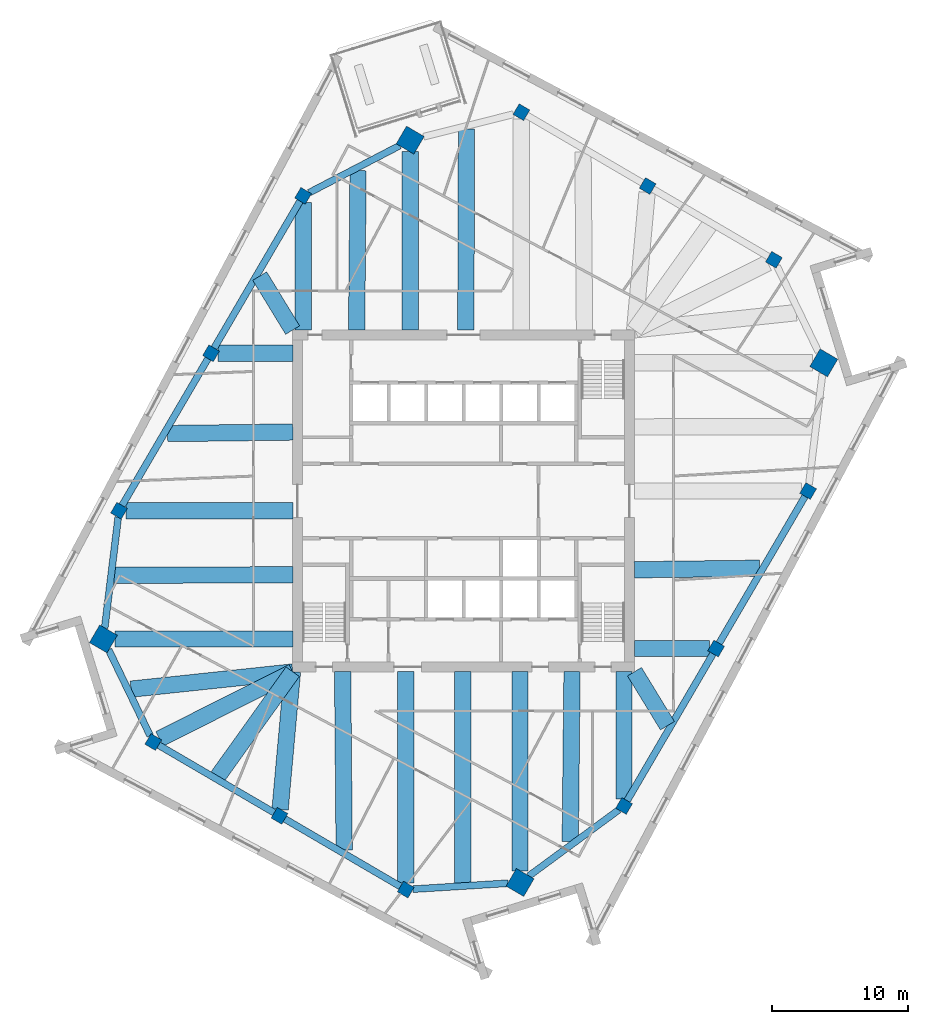
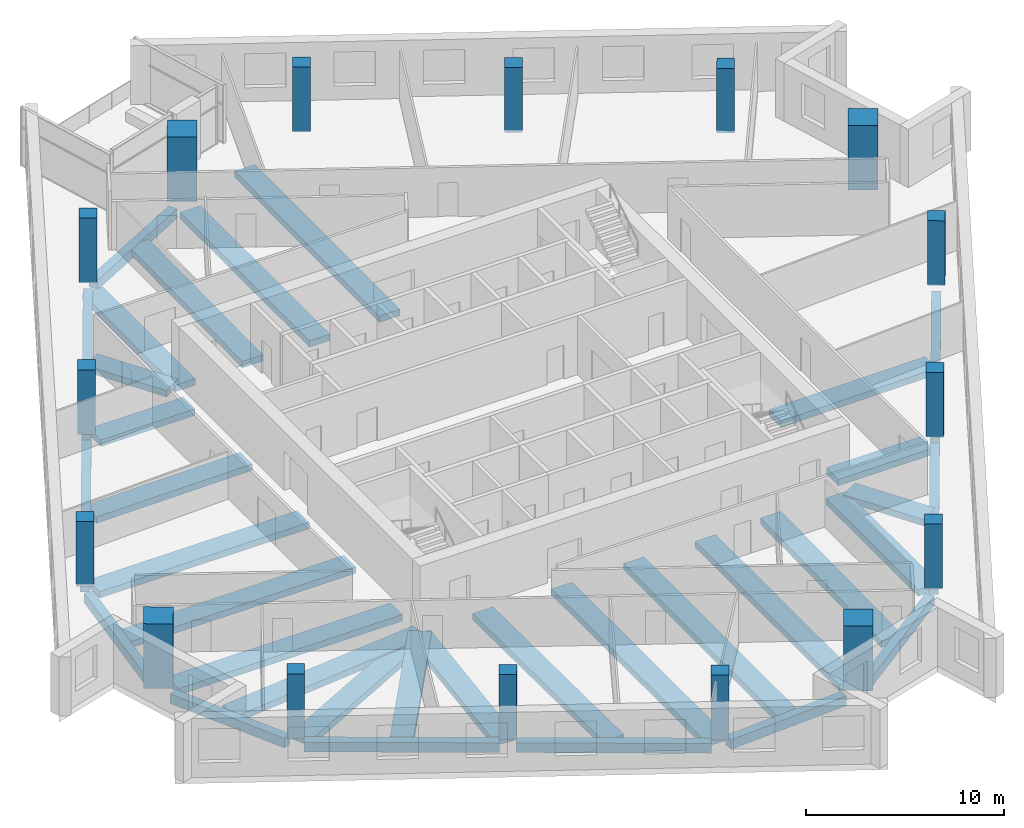
# One storey, part 1 of 13: 34 beams, 16 columns.
"""IFC4 building model written with IfcOpenShell, lengths in metres."""

from ifc_helpers import new_model, si_unit, direction, frame, origin, origin_2d, place, context, subcontext, project, spatial, rectangle, extrude, material, material_profile, profile_set, type_object, element, save


model = new_model("IFC4")

# Units and contexts
model_context = context("Model", 3, precision=1e-05, world=origin(), true_north=direction((0.0, 1.0)))
body_context = subcontext(model_context, "Body", "Model", "MODEL_VIEW")
ifc_project = project(units=[si_unit("LENGTHUNIT", "METRE"), si_unit("AREAUNIT", "SQUARE_METRE"), si_unit("VOLUMEUNIT", "CUBIC_METRE"), si_unit("PLANEANGLEUNIT", "RADIAN"), si_unit("MASSUNIT", "GRAM", prefix="KILO")], contexts=[model_context])

# Site, building, storey
site_placement = place(None, origin())
site = spatial("IfcSite", under=ifc_project, at=site_placement, CompositionType="ELEMENT")
building_placement = place(site_placement, origin())
building = spatial("IfcBuilding", under=site, at=building_placement, Name="Dilmun Exchange Tower", CompositionType="ELEMENT")
storey_placement = place(building_placement, frame((0.0, 0.0, 274.89990234375)))
storey = spatial("IfcBuildingStorey", under=building, at=storey_placement, Name="L65", CompositionType="ELEMENT", Elevation=274.89990234375)

# Columns
ifc_material_1 = material(Name="Concrete C50/60", Category="concrete")
ifc_material_profile_1 = material_profile(ifc_material_1, rectangle(XDim=1.5, YDim=1.5, at=origin_2d()), Name="1500 x 1500")
ifc_profile_set_1 = profile_set([ifc_material_profile_1], Name="Concrete C50/60")
column_type_1 = type_object("IfcColumnType", Name="RC mega column 1500 x 1500 C50/60", PredefinedType="COLUMN", material=ifc_profile_set_1)
for number, where, z_axis, x_axis, name in (
    (1, (-3.9150390625, 26.45703125, 0.0), (0.0, 0.0, 1.0), (0.504643651291, 0.863327739165, 0.0), "Mega column M1"),
    (2, (-26.4150390625, -10.1220703125, 0.0), (0.0, 0.0, 1.0), (0.504643651291, 0.863327739165, 0.0), "Mega column M2"),
    (3, (4.14111328125, -27.98291015625, 0.0), (0.0, 0.0, 1.0), (0.504643651291, 0.863327739165, 0.0), "Mega column M3"),
    (4, (26.4150390625, 10.1220703125, 0.0), (0.0, 0.0, 1.0), (0.504643651291, 0.863327739165, 0.0), "Mega column M4"),
):
    element("IfcColumn", number, at=place(storey_placement, frame(where, z_axis=z_axis, x_axis=x_axis)), inside=storey, type_object=column_type_1, Name=name, PredefinedType="COLUMN", context=body_context, shape_type="SweptSolid", body=[
        extrude(rectangle(XDim=1.5, YDim=1.5, at=origin_2d()), origin(), (0.0, 0.0, 1.0), 4.0),
    ])
ifc_material_profile_2 = material_profile(ifc_material_1, rectangle(XDim=0.89990234375, YDim=0.89990234375, at=origin_2d()), Name="900 x 900")
ifc_profile_set_2 = profile_set([ifc_material_profile_2], Name="Concrete C50/60")
column_type_2 = type_object("IfcColumnType", Name="RC ring column 900 x 900 C50/60", PredefinedType="COLUMN", material=ifc_profile_set_2)
for number, where, z_axis, x_axis, name in (
    (5, (-11.76904296875, 22.3720703125, 0.0), (0.0, 0.0, 1.0), (0.504643651291, 0.863327739165, 0.0), "Ring column R01"),
    (6, (-18.51806640625, 10.824951171875, 0.0), (0.0, 0.0, 1.0), (0.504643651291, 0.863327739165, 0.0), "Ring column R02"),
    (7, (-25.26806640625, -0.721923828125, 0.0), (0.0, 0.0, 1.0), (0.504643651291, 0.863327739165, 0.0), "Ring column R03"),
    (8, (-22.758056640625, -17.681884765625, 0.0), (0.0, 0.0, 1.0), (0.504643651291, 0.863327739165, 0.0), "Ring column R04"),
    (9, (-13.4990234375, -23.093994140625, 0.0), (0.0, 0.0, 1.0), (0.504643651291, 0.863327739165, 0.0), "Ring column R05"),
    (10, (-4.239990234375, -28.506103515625, 0.0), (0.0, 0.0, 1.0), (0.504643651291, 0.863327739165, 0.0), "Ring column R06"),
    (11, (11.76904296875, -22.3720703125, 0.0), (0.0, 0.0, 1.0), (0.504643651291, 0.863327739165, 0.0), "Ring column R07"),
    (12, (18.51806640625, -10.824951171875, 0.0), (0.0, 0.0, 1.0), (0.504643651291, 0.863327739165, 0.0), "Ring column R08"),
    (13, (25.26806640625, 0.721923828125, 0.0), (0.0, 0.0, 1.0), (0.504643651291, 0.863327739165, 0.0), "Ring column R09"),
    (14, (22.758056640625, 17.681884765625, 0.0), (0.0, 0.0, 1.0), (0.504643651291, 0.863327739165, 0.0), "Ring column R10"),
    (15, (13.4990234375, 23.093994140625, 0.0), (0.0, 0.0, 1.0), (0.504643651291, 0.863327739165, 0.0), "Ring column R11"),
    (16, (4.239990234375, 28.506103515625, 0.0), (0.0, 0.0, 1.0), (0.504643651291, 0.863327739165, 0.0), "Ring column R12"),
):
    element("IfcColumn", number, at=place(storey_placement, frame(where, z_axis=z_axis, x_axis=x_axis)), inside=storey, type_object=column_type_2, Name=name, PredefinedType="COLUMN", context=body_context, shape_type="SweptSolid", body=[
        extrude(rectangle(XDim=0.89990234375, YDim=0.89990234375, at=origin_2d()), origin(), (0.0, 0.0, 1.0), 4.0),
    ])

# Beams
ifc_material_2 = material(Name="Concrete C40/50", Category="concrete")
ifc_material_profile_3 = material_profile(ifc_material_2, rectangle(XDim=1.199951171875, YDim=0.39990234375, at=origin_2d()), Name="1200 x 400")
ifc_profile_set_3 = profile_set([ifc_material_profile_3], Name="Concrete C40/50")
beam_type_1 = type_object("IfcBeamType", Name="RC band beam 1200 x 400 C40/50", PredefinedType="BEAM", material=ifc_profile_set_3)
beam_1_placement = place(storey_placement, frame((-3.9150390625, 25.615234375, -0.659912109375), z_axis=(0.0, -1.0, 0.0), x_axis=(1.0, 0.0, 0.0)))
element("IfcBeam", 17, at=beam_1_placement, inside=storey, type_object=beam_type_1, Name="Band beam 1", PredefinedType="BEAM", context=body_context, shape_type="SweptSolid", body=[
    extrude(rectangle(XDim=1.199951171875, YDim=0.39990234375, at=origin_2d()), origin(), (0.0, 0.0, 1.0), 13.09228515625),
])
beam_2_placement = place(storey_placement, frame((-11.76904296875, 21.877685546875, -0.659912109375), z_axis=(0.0, -1.0, 0.0), x_axis=(1.0, 0.0, 0.0)))
element("IfcBeam", 18, at=beam_2_placement, inside=storey, type_object=beam_type_1, Name="Band beam 2", PredefinedType="BEAM", context=body_context, shape_type="SweptSolid", body=[
    extrude(rectangle(XDim=1.199951171875, YDim=0.39990234375, at=origin_2d()), origin(), (0.0, 0.0, 1.0), 9.354736328125),
])
beam_3_placement = place(storey_placement, frame((-18.023681640625, 10.824951171875, -0.659912109375), z_axis=(1.0, 0.0, 0.0), x_axis=(0.0, 1.0, 0.0)))
element("IfcBeam", 19, at=beam_3_placement, inside=storey, type_object=beam_type_1, Name="Band beam 3", PredefinedType="BEAM", context=body_context, shape_type="SweptSolid", body=[
    extrude(rectangle(XDim=1.199951171875, YDim=0.39990234375, at=origin_2d()), origin(), (0.0, 0.0, 1.0), 5.500732421875),
])
beam_4_placement = place(storey_placement, frame((-24.773681640625, -0.721923828125, -0.659912109375), z_axis=(1.0, 0.0, 0.0), x_axis=(0.0, 1.0, 0.0)))
element("IfcBeam", 20, at=beam_4_placement, inside=storey, type_object=beam_type_1, Name="Band beam 4", PredefinedType="BEAM", context=body_context, shape_type="SweptSolid", body=[
    extrude(rectangle(XDim=1.199951171875, YDim=0.39990234375, at=origin_2d()), origin(), (0.0, 0.0, 1.0), 12.250732421875),
])
beam_5_placement = place(storey_placement, frame((-25.5732421875, -10.1220703125, -0.659912109375), z_axis=(1.0, 0.0, 0.0), x_axis=(0.0, 1.0, 0.0)))
element("IfcBeam", 21, at=beam_5_placement, inside=storey, type_object=beam_type_1, Name="Band beam 5", PredefinedType="BEAM", context=body_context, shape_type="SweptSolid", body=[
    extrude(rectangle(XDim=1.199951171875, YDim=0.39990234375, at=origin_2d()), origin(), (0.0, 0.0, 1.0), 13.05029296875),
])
beam_6_placement = place(storey_placement, frame((-22.302734375, -17.453125, -0.659912109375), z_axis=(0.893443377394, 0.449175835716, 0.0), x_axis=(-0.449175835716, 0.893443377394, 0.0)))
element("IfcBeam", 22, at=beam_6_placement, inside=storey, type_object=beam_type_1, Name="Band beam 6", PredefinedType="BEAM", context=body_context, shape_type="SweptSolid", body=[
    extrude(rectangle(XDim=1.199951171875, YDim=0.39990234375, at=origin_2d()), origin(), (0.0, 0.0, 1.0), 10.94287109375),
])
beam_7_placement = place(storey_placement, frame((-13.456787109375, -22.625732421875, -0.659912109375), z_axis=(0.089632924375, 0.995974868593, 0.0), x_axis=(-0.995974868593, 0.089632924375, 0.0)))
element("IfcBeam", 23, at=beam_7_placement, inside=storey, type_object=beam_type_1, Name="Band beam 7", PredefinedType="BEAM", context=body_context, shape_type="SweptSolid", body=[
    extrude(rectangle(XDim=1.199951171875, YDim=0.39990234375, at=origin_2d()), origin(), (0.0, 0.0, 1.0), 10.143310546875),
])
beam_8_placement = place(storey_placement, frame((-4.239990234375, -28.01171875, -0.659912109375), z_axis=(0.0, 1.0, 0.0), x_axis=(-1.0, 0.0, 0.0)))
element("IfcBeam", 24, at=beam_8_placement, inside=storey, type_object=beam_type_1, Name="Band beam 8", PredefinedType="BEAM", context=body_context, shape_type="SweptSolid", body=[
    extrude(rectangle(XDim=1.199951171875, YDim=0.39990234375, at=origin_2d()), origin(), (0.0, 0.0, 1.0), 15.48876953125),
])
beam_9_placement = place(storey_placement, frame((4.14111328125, -27.141357421875, -0.659912109375), z_axis=(0.0, 1.0, 0.0), x_axis=(-1.0, 0.0, 0.0)))
element("IfcBeam", 25, at=beam_9_placement, inside=storey, type_object=beam_type_1, Name="Band beam 9", PredefinedType="BEAM", context=body_context, shape_type="SweptSolid", body=[
    extrude(rectangle(XDim=1.199951171875, YDim=0.39990234375, at=origin_2d()), origin(), (0.0, 0.0, 1.0), 14.618408203125),
])
beam_10_placement = place(storey_placement, frame((11.76904296875, -21.877685546875, -0.659912109375), z_axis=(0.0, 1.0, 0.0), x_axis=(-1.0, 0.0, 0.0)))
element("IfcBeam", 26, at=beam_10_placement, inside=storey, type_object=beam_type_1, Name="Band beam 10", PredefinedType="BEAM", context=body_context, shape_type="SweptSolid", body=[
    extrude(rectangle(XDim=1.199951171875, YDim=0.39990234375, at=origin_2d()), origin(), (0.0, 0.0, 1.0), 9.354736328125),
])
beam_11_placement = place(storey_placement, frame((18.023681640625, -10.824951171875, -0.659912109375), z_axis=(-1.0, 0.0, 0.0), x_axis=(0.0, -1.0, 0.0)))
element("IfcBeam", 27, at=beam_11_placement, inside=storey, type_object=beam_type_1, Name="Band beam 11", PredefinedType="BEAM", context=body_context, shape_type="SweptSolid", body=[
    extrude(rectangle(XDim=1.199951171875, YDim=0.39990234375, at=origin_2d()), origin(), (0.0, 0.0, 1.0), 5.500732421875),
])
beam_12_placement = place(storey_placement, frame((-7.739013671875, 24.216796875, -0.559814453125), z_axis=(-0.008810046818, -0.999961190784, 0.0), x_axis=(0.999961190784, -0.008810046818, 0.0)))
element("IfcBeam", 28, at=beam_12_placement, inside=storey, type_object=beam_type_1, Name="Band beam 17", PredefinedType="BEAM", context=body_context, shape_type="SweptSolid", body=[
    extrude(rectangle(XDim=1.199951171875, YDim=0.39990234375, at=origin_2d()), origin(), (0.0, 0.0, 1.0), 11.6943359375),
])
beam_13_placement = place(storey_placement, frame((-14.950927734375, 16.486083984375, -0.559814453125), z_axis=(0.520868546878, -0.853636899901, 0.0), x_axis=(0.853636899901, 0.520868546878, 0.0)))
element("IfcBeam", 29, at=beam_13_placement, inside=storey, type_object=beam_type_1, Name="Band beam 18", PredefinedType="BEAM", context=body_context, shape_type="SweptSolid", body=[
    extrude(rectangle(XDim=1.199951171875, YDim=0.39990234375, at=origin_2d()), origin(), (0.0, 0.0, 1.0), 4.637451171875),
])
beam_14_placement = place(storey_placement, frame((-21.700439453125, 4.93896484375, -0.559814453125), z_axis=(0.999924810861, 0.01226265164, 0.0), x_axis=(-0.01226265164, 0.999924810861, 0.0)))
element("IfcBeam", 30, at=beam_14_placement, inside=storey, type_object=beam_type_1, Name="Band beam 19", PredefinedType="BEAM", context=body_context, shape_type="SweptSolid", body=[
    extrude(rectangle(XDim=1.199951171875, YDim=0.39990234375, at=origin_2d()), origin(), (0.0, 0.0, 1.0), 9.17822265625),
])
beam_15_placement = place(storey_placement, frame((-25.6201171875, -5.448974609375, -0.559814453125), z_axis=(0.999997897774, 0.002050474756, 0.0), x_axis=(-0.002050474756, 0.999997897774, 0.0)))
element("IfcBeam", 31, at=beam_15_placement, inside=storey, type_object=beam_type_1, Name="Band beam 20", PredefinedType="BEAM", context=body_context, shape_type="SweptSolid", body=[
    extrude(rectangle(XDim=1.199951171875, YDim=0.39990234375, at=origin_2d()), origin(), (0.0, 0.0, 1.0), 13.09716796875),
])
beam_16_placement = place(storey_placement, frame((-24.3857421875, -13.804931640625, -0.559814453125), z_axis=(0.994425543871, 0.105441157505, 0.0), x_axis=(-0.105441157505, 0.994425543871, 0.0)))
element("IfcBeam", 32, at=beam_16_placement, inside=storey, type_object=beam_type_1, Name="Band beam 21", PredefinedType="BEAM", context=body_context, shape_type="SweptSolid", body=[
    extrude(rectangle(XDim=1.199951171875, YDim=0.39990234375, at=origin_2d()), origin(), (0.0, 0.0, 1.0), 11.928955078125),
])
beam_17_placement = place(storey_placement, frame((-18.01611328125, -20.195556640625, -0.559814453125), z_axis=(0.581600762294, 0.81347437163, 0.0), x_axis=(-0.81347437163, 0.581600762294, 0.0)))
element("IfcBeam", 33, at=beam_17_placement, inside=storey, type_object=beam_type_1, Name="Band beam 22", PredefinedType="BEAM", context=body_context, shape_type="SweptSolid", body=[
    extrude(rectangle(XDim=1.199951171875, YDim=0.39990234375, at=origin_2d()), origin(), (0.0, 0.0, 1.0), 9.425537109375),
])
beam_18_placement = place(storey_placement, frame((-8.757080078125, -25.607421875, -0.559814453125), z_axis=(-0.008582734208, 0.999963167658, 0.0), x_axis=(-0.999963167658, -0.008582734208, 0.0)))
element("IfcBeam", 34, at=beam_18_placement, inside=storey, type_object=beam_type_1, Name="Band beam 23", PredefinedType="BEAM", context=body_context, shape_type="SweptSolid", body=[
    extrude(rectangle(XDim=1.199951171875, YDim=0.39990234375, at=origin_2d()), origin(), (0.0, 0.0, 1.0), 13.0849609375),
])
beam_19_placement = place(storey_placement, frame((-0.0634765625, -28.02197265625, -0.559814453125), z_axis=(0.000897863667, 0.99999959692, 0.0), x_axis=(-0.99999959692, 0.000897863667, 0.0)))
element("IfcBeam", 35, at=beam_19_placement, inside=storey, type_object=beam_type_1, Name="Band beam 24", PredefinedType="BEAM", context=body_context, shape_type="SweptSolid", body=[
    extrude(rectangle(XDim=1.199951171875, YDim=0.39990234375, at=origin_2d()), origin(), (0.0, 0.0, 1.0), 15.4990234375),
])
beam_20_placement = place(storey_placement, frame((7.822998046875, -24.997802734375, -0.559814453125), z_axis=(0.010587112348, 0.999943954956, 0.0), x_axis=(-0.999943954956, 0.010587112348, 0.0)))
element("IfcBeam", 36, at=beam_20_placement, inside=storey, type_object=beam_type_1, Name="Band beam 25", PredefinedType="BEAM", context=body_context, shape_type="SweptSolid", body=[
    extrude(rectangle(XDim=1.199951171875, YDim=0.39990234375, at=origin_2d()), origin(), (0.0, 0.0, 1.0), 12.4755859375),
])
beam_21_placement = place(storey_placement, frame((14.950927734375, -16.486083984375, -0.559814453125), z_axis=(-0.520868546878, 0.853636899901, 0.0), x_axis=(-0.853636899901, -0.520868546878, 0.0)))
element("IfcBeam", 37, at=beam_21_placement, inside=storey, type_object=beam_type_1, Name="Band beam 26", PredefinedType="BEAM", context=body_context, shape_type="SweptSolid", body=[
    extrude(rectangle(XDim=1.199951171875, YDim=0.39990234375, at=origin_2d()), origin(), (0.0, 0.0, 1.0), 4.637451171875),
])
beam_22_placement = place(storey_placement, frame((21.700439453125, -4.93896484375, -0.559814453125), z_axis=(-0.999924810861, -0.01226265164, 0.0), x_axis=(0.01226265164, -0.999924810861, 0.0)))
element("IfcBeam", 38, at=beam_22_placement, inside=storey, type_object=beam_type_1, Name="Band beam 27", PredefinedType="BEAM", context=body_context, shape_type="SweptSolid", body=[
    extrude(rectangle(XDim=1.199951171875, YDim=0.39990234375, at=origin_2d()), origin(), (0.0, 0.0, 1.0), 9.17822265625),
])
beam_23_placement = place(storey_placement, frame((0.216796875, 27.26513671875, -0.559814453125), z_axis=(-0.003676445742, -0.999993241851, 0.0), x_axis=(0.999993241851, -0.003676445742, 0.0)))
element("IfcBeam", 39, at=beam_23_placement, inside=storey, type_object=beam_type_1, Name="Band beam 32", PredefinedType="BEAM", context=body_context, shape_type="SweptSolid", body=[
    extrude(rectangle(XDim=1.199951171875, YDim=0.39990234375, at=origin_2d()), origin(), (0.0, 0.0, 1.0), 14.7421875),
])
ifc_material_profile_4 = material_profile(ifc_material_2, rectangle(XDim=0.5, YDim=0.60009765625, at=origin_2d()), Name="500 x 600")
ifc_profile_set_4 = profile_set([ifc_material_profile_4], Name="Concrete C40/50")
beam_type_2 = type_object("IfcBeamType", Name="RC ring beam 500 x 600 C40/50", PredefinedType="SPANDREL", material=ifc_profile_set_4)
beam_24_placement = place(storey_placement, frame((-4.677490234375, 26.060302734375, -0.659912109375), z_axis=(-0.887179966585, -0.461423565599, 0.0), x_axis=(0.461423565599, -0.887179966585, 0.0)))
element("IfcBeam", 40, at=beam_24_placement, inside=storey, type_object=beam_type_2, Name="Ring beam 1", PredefinedType="SPANDREL", context=body_context, shape_type="SweptSolid", body=[
    extrude(rectangle(XDim=0.5, YDim=0.60009765625, at=origin_2d()), origin(), (0.0, 0.0, 1.0), 7.48828125),
])
beam_25_placement = place(storey_placement, frame((-11.982421875, 22.0068359375, -0.659912109375), z_axis=(-0.504603860956, -0.863350996703, 0.0), x_axis=(0.863350996703, -0.504603860956, 0.0)))
element("IfcBeam", 41, at=beam_25_placement, inside=storey, type_object=beam_type_2, Name="Ring beam 2", PredefinedType="SPANDREL", context=body_context, shape_type="SweptSolid", body=[
    extrude(rectangle(XDim=0.5, YDim=0.60009765625, at=origin_2d()), origin(), (0.0, 0.0, 1.0), 12.528564453125),
])
beam_26_placement = place(storey_placement, frame((-18.7314453125, 10.459716796875, -0.659912109375), z_axis=(-0.504670446374, -0.863312075994, 0.0), x_axis=(0.863312075994, -0.504670446374, 0.0)))
element("IfcBeam", 42, at=beam_26_placement, inside=storey, type_object=beam_type_2, Name="Ring beam 3", PredefinedType="SPANDREL", context=body_context, shape_type="SweptSolid", body=[
    extrude(rectangle(XDim=0.5, YDim=0.60009765625, at=origin_2d()), origin(), (0.0, 0.0, 1.0), 12.529052734375),
])
beam_27_placement = place(storey_placement, frame((-25.32421875, -1.181640625, -0.659912109375), z_axis=(-0.121108645076, -0.992639257781, 0.0), x_axis=(0.992639257781, -0.121108645076, 0.0)))
element("IfcBeam", 43, at=beam_27_placement, inside=storey, type_object=beam_type_2, Name="Ring beam 4", PredefinedType="SPANDREL", context=body_context, shape_type="SweptSolid", body=[
    extrude(rectangle(XDim=0.5, YDim=0.60009765625, at=origin_2d()), origin(), (0.0, 0.0, 1.0), 8.216796875),
])
beam_28_placement = place(storey_placement, frame((-26.033447265625, -10.910888671875, -0.659912109375), z_axis=(0.435439794363, -0.900217854458, 0.0), x_axis=(0.900217854458, 0.435439794363, 0.0)))
element("IfcBeam", 44, at=beam_28_placement, inside=storey, type_object=beam_type_2, Name="Ring beam 5", PredefinedType="SPANDREL", context=body_context, shape_type="SweptSolid", body=[
    extrude(rectangle(XDim=0.5, YDim=0.60009765625, at=origin_2d()), origin(), (0.0, 0.0, 1.0), 7.0068359375),
])
beam_29_placement = place(storey_placement, frame((-22.392822265625, -17.8955078125, -0.659912109375), z_axis=(0.863333071594, -0.504634528637, 0.0), x_axis=(0.504634528637, 0.863333071594, 0.0)))
element("IfcBeam", 45, at=beam_29_placement, inside=storey, type_object=beam_type_2, Name="Ring beam 6", PredefinedType="SPANDREL", context=body_context, shape_type="SweptSolid", body=[
    extrude(rectangle(XDim=0.5, YDim=0.60009765625, at=origin_2d()), origin(), (0.0, 0.0, 1.0), 9.878662109375),
])
beam_30_placement = place(storey_placement, frame((-13.1337890625, -23.3076171875, -0.659912109375), z_axis=(0.863343838609, -0.504616107884, 0.0), x_axis=(0.504616107884, 0.863343838609, 0.0)))
element("IfcBeam", 46, at=beam_30_placement, inside=storey, type_object=beam_type_2, Name="Ring beam 7", PredefinedType="SPANDREL", context=body_context, shape_type="SweptSolid", body=[
    extrude(rectangle(XDim=0.5, YDim=0.60009765625, at=origin_2d()), origin(), (0.0, 0.0, 1.0), 9.87841796875),
])
beam_31_placement = place(storey_placement, frame((-3.72607421875, -28.473876953125, -0.659912109375), z_axis=(0.998059216844, 0.062271981443, 0.0), x_axis=(-0.062271981443, 0.998059216844, 0.0)))
element("IfcBeam", 47, at=beam_31_placement, inside=storey, type_object=beam_type_2, Name="Ring beam 8", PredefinedType="SPANDREL", context=body_context, shape_type="SweptSolid", body=[
    extrude(rectangle(XDim=0.5, YDim=0.60009765625, at=origin_2d()), origin(), (0.0, 0.0, 1.0), 7.006103515625),
])
beam_32_placement = place(storey_placement, frame((4.77734375, -27.514892578125, -0.659912109375), z_axis=(0.805549228719, 0.592528851711, 0.0), x_axis=(-0.592528851711, 0.805549228719, 0.0)))
element("IfcBeam", 48, at=beam_32_placement, inside=storey, type_object=beam_type_2, Name="Ring beam 9", PredefinedType="SPANDREL", context=body_context, shape_type="SweptSolid", body=[
    extrude(rectangle(XDim=0.5, YDim=0.60009765625, at=origin_2d()), origin(), (0.0, 0.0, 1.0), 8.21630859375),
])
beam_33_placement = place(storey_placement, frame((11.982421875, -22.0068359375, -0.659912109375), z_axis=(0.504603860956, 0.863350996703, 0.0), x_axis=(-0.863350996703, 0.504603860956, 0.0)))
element("IfcBeam", 49, at=beam_33_placement, inside=storey, type_object=beam_type_2, Name="Ring beam 10", PredefinedType="SPANDREL", context=body_context, shape_type="SweptSolid", body=[
    extrude(rectangle(XDim=0.5, YDim=0.60009765625, at=origin_2d()), origin(), (0.0, 0.0, 1.0), 12.528564453125),
])
beam_34_placement = place(storey_placement, frame((18.7314453125, -10.459716796875, -0.659912109375), z_axis=(0.504670446374, 0.863312075994, 0.0), x_axis=(-0.863312075994, 0.504670446374, 0.0)))
element("IfcBeam", 50, at=beam_34_placement, inside=storey, type_object=beam_type_2, Name="Ring beam 11", PredefinedType="SPANDREL", context=body_context, shape_type="SweptSolid", body=[
    extrude(rectangle(XDim=0.5, YDim=0.60009765625, at=origin_2d()), origin(), (0.0, 0.0, 1.0), 12.529052734375),
])

save(model, "model.ifc")
